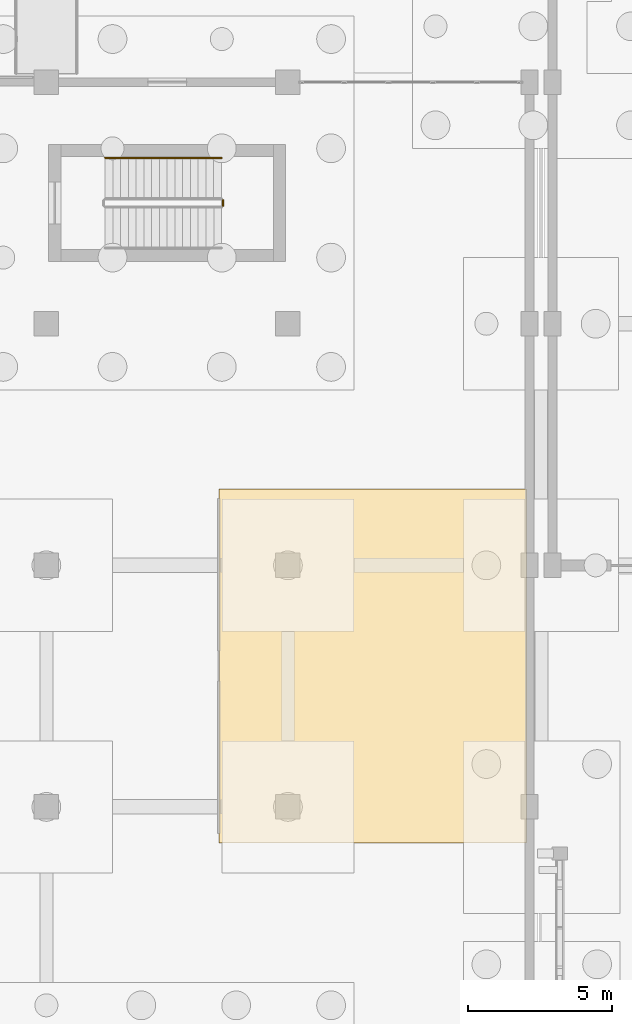
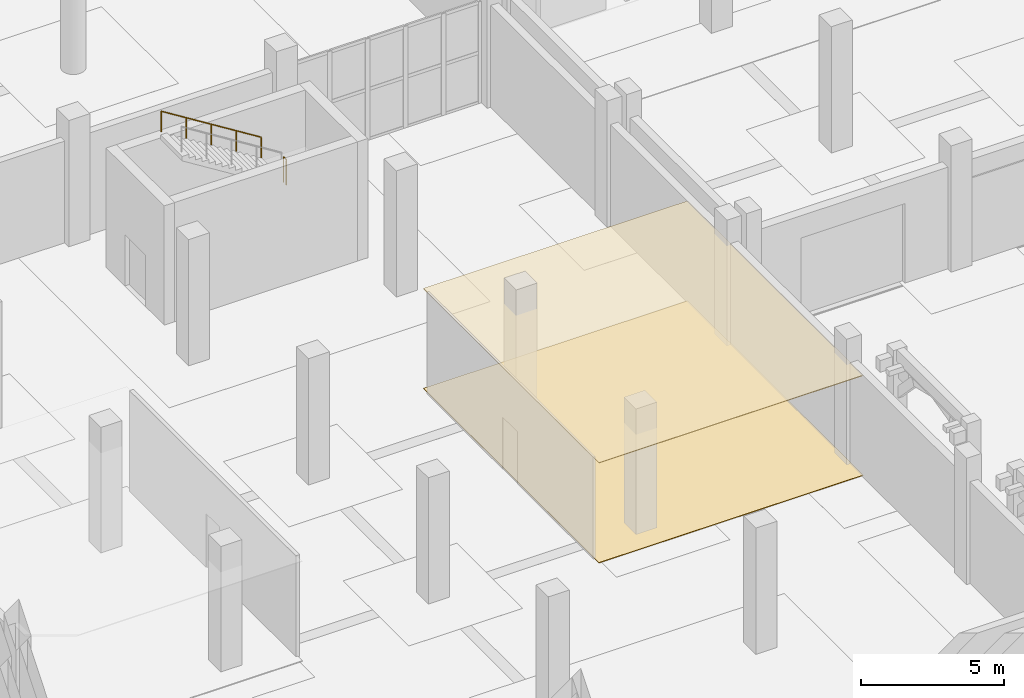
# One storey, part 92 of 98: 2 coverings, 2 railings.
"""IFC4 building model written with IfcOpenShell, lengths in metres."""

from ifc_helpers import new_model, si_unit, direction, frame, origin, origin_2d, place, context, subcontext, project, spatial, polyline, circle, outline, extrude, material, layer, layer_set, type_object, element, save


model = new_model("IFC4")

# Units and contexts
model_context = context("Model", 3, precision=1e-05, world=origin(), true_north=direction((0.0, 1.0)))
body_context = subcontext(model_context, "Body", "Model", "MODEL_VIEW")
ifc_project = project(units=[si_unit("LENGTHUNIT", "METRE"), si_unit("AREAUNIT", "SQUARE_METRE"), si_unit("VOLUMEUNIT", "CUBIC_METRE"), si_unit("PLANEANGLEUNIT", "RADIAN"), si_unit("MASSUNIT", "GRAM", prefix="KILO")], contexts=[model_context])

# Site, building, storey
site_placement = place(None, origin())
site = spatial("IfcSite", under=ifc_project, at=site_placement, CompositionType="ELEMENT")
building_placement = place(site_placement, origin())
building = spatial("IfcBuilding", under=site, at=building_placement, Name="Xazarin Passage Department Store", CompositionType="ELEMENT")
storey_placement = place(building_placement, origin())
storey = spatial("IfcBuildingStorey", under=building, at=storey_placement, Name="L00", CompositionType="ELEMENT", Elevation=0.0)

# Coverings
ifc_material_1 = material(Name="Acoustic mineral ceiling")
ifc_layer_1 = layer(ifc_material_1, 0.030029296875)
ifc_layer_set_1 = layer_set([ifc_layer_1], Name="Acoustic mineral ceiling")
covering_type_1 = type_object("IfcCoveringType", Name="ARC-COV-CLG030", PredefinedType="CEILING", material=ifc_layer_set_1)
covering_1_placement = place(storey_placement, frame((0.0, 0.0, 4.27001953125)))
element("IfcCovering", 1, at=covering_1_placement, inside=storey, type_object=covering_type_1, Name="L00 Arcade Boutique Acoustic Ceiling", PredefinedType="CEILING", context=body_context, shape_type="SweptSolid", body=[
    extrude(outline(polyline([(90.800048828125, 79.050048828125), (90.800048828125, 66.75), (101.5, 66.75), (101.5, 79.050048828125), (90.800048828125, 79.050048828125)])), origin(), (0.0, 0.0, 1.0), 0.030029296875),
])
ifc_material_2 = material(Name="Terrazzo stone flooring", Category="masonry")
ifc_layer_2 = layer(ifc_material_2, 0.02490234375)
ifc_layer_set_2 = layer_set([ifc_layer_2], Name="Terrazzo stone flooring")
covering_type_2 = type_object("IfcCoveringType", Name="ARC-COV-FLR025", PredefinedType="FLOORING", material=ifc_layer_set_2)
covering_2_placement = place(storey_placement, origin())
element("IfcCovering", 2, at=covering_2_placement, inside=storey, type_object=covering_type_2, Name="L00 Arcade Boutique Terrazzo Flooring", PredefinedType="FLOORING", context=body_context, shape_type="SweptSolid", body=[
    extrude(outline(polyline([(90.800048828125, 79.050048828125), (90.800048828125, 66.75), (101.5, 66.75), (101.5, 79.050048828125), (90.800048828125, 79.050048828125)])), origin(), (0.0, 0.0, 1.0), 0.02490234375),
])

# Railings
ifc_material_3 = material(Name="Steel S355", Category="steel")
railing_type_1 = type_object("IfcRailingType", Name="ARC-RL-GRD112", PredefinedType="GUARDRAIL", material=ifc_material_3)
railing_1_placement = place(storey_placement, frame((90.93994140625, 88.89990234375, 2.699951171875)))
element("IfcRailing", 3, at=railing_1_placement, inside=storey, type_object=railing_type_1, Name="L00 ST7 stair guard 2", PredefinedType="GUARDRAIL", context=body_context, shape_type="SweptSolid", body=[
    extrude(circle(Radius=0.02392578125, at=origin_2d()), frame((0.0, 0.0, 1.076171875), z_axis=(0.0, 1.0, 0.0), x_axis=(-1.0, 0.0, 0.0)), (0.0, 0.0, 1.0), 0.2001953125),
    extrude(circle(Radius=0.02099609375, at=origin_2d()), origin(), (0.0, 0.0, 1.0), 1.0517578125),
    extrude(circle(Radius=0.02099609375, at=origin_2d()), frame((0.0, 0.2001953125, 0.0)), (0.0, 0.0, 1.0), 1.0517578125),
])
railing_type_2 = type_object("IfcRailingType", Name="ARC-RL-HND090", PredefinedType="HANDRAIL", material=ifc_material_3)
railing_2_placement = place(storey_placement, frame((90.889892578125, 90.570068359375, 2.86865234375)))
element("IfcRailing", 4, at=railing_2_placement, inside=storey, type_object=railing_type_2, Name="L00 ST7 stair handrail 2", PredefinedType="HANDRAIL", context=body_context, shape_type="SweptSolid", body=[
    extrude(circle(Radius=0.02392578125, at=origin_2d()), frame((0.0, 0.0, 0.8759765625), z_axis=(-0.847986816054, 0.0, 0.530017320282), x_axis=(0.0, -1.0, 0.0)), (0.0, 0.0, 1.0), 4.77587890625),
    extrude(circle(Radius=0.02099609375, at=origin_2d()), origin(), (0.0, 0.0, 1.0), 0.8515625),
    extrude(circle(Radius=0.02099609375, at=origin_2d()), frame((-1.012451171875, 0.0, 0.6328125)), (0.0, 0.0, 1.0), 0.8515625),
    extrude(circle(Radius=0.02099609375, at=origin_2d()), frame((-2.02490234375, 0.0, 1.265625)), (0.0, 0.0, 1.0), 0.8515625),
    extrude(circle(Radius=0.02099609375, at=origin_2d()), frame((-3.037353515625, 0.0, 1.8984375)), (0.0, 0.0, 1.0), 0.8515625),
    extrude(circle(Radius=0.02099609375, at=origin_2d()), frame((-4.0498046875, 0.0, 2.53125)), (0.0, 0.0, 1.0), 0.8515625),
])

save(model, "model.ifc")
